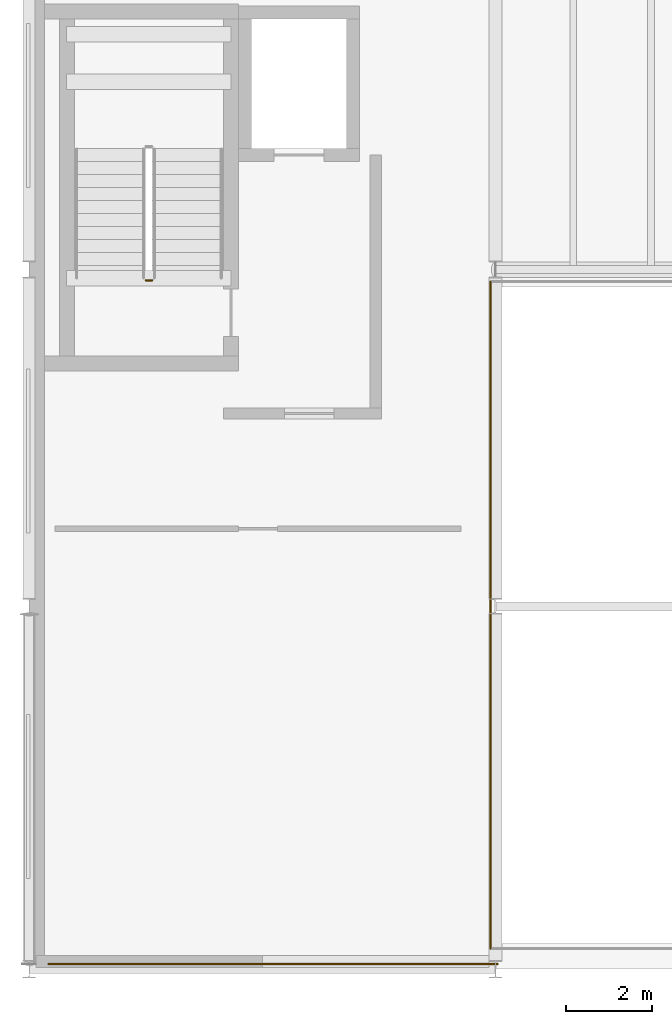
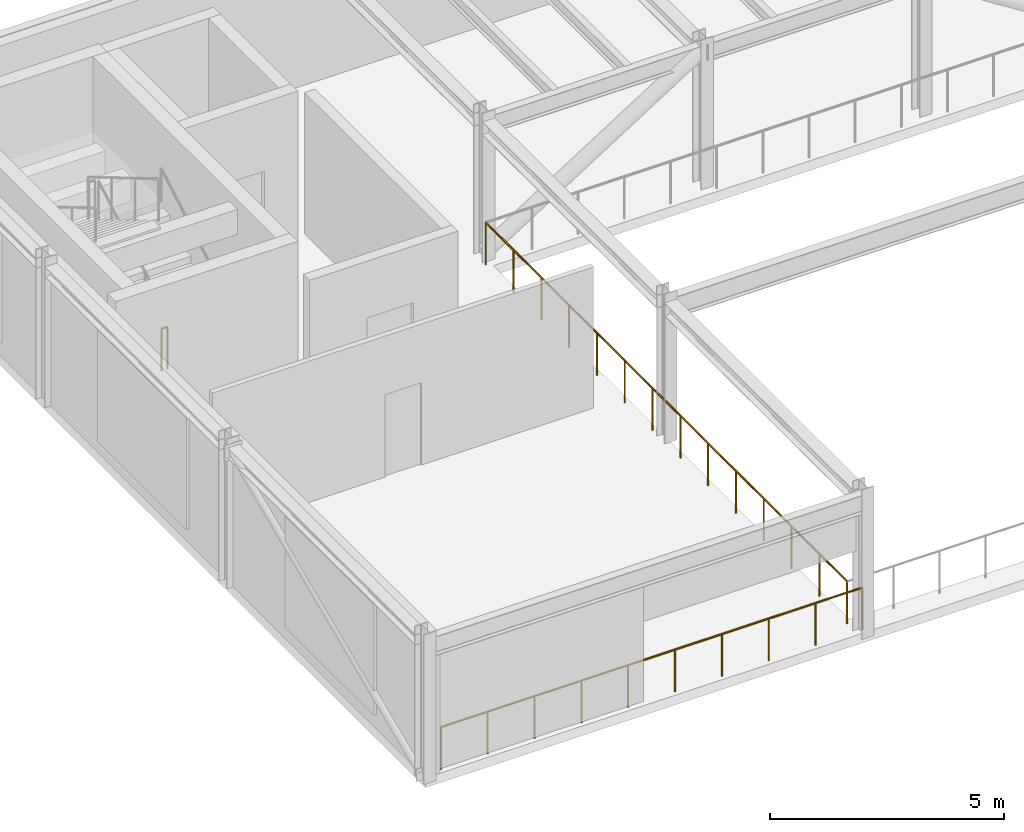
# One storey, part 9 of 12: 3 railings.
"""IFC4 building model written with IfcOpenShell, lengths in metres."""

from ifc_helpers import new_model, si_unit, direction, frame, origin, origin_2d, place, context, subcontext, project, spatial, circle, extrude, material, material_profile, profile_set, type_object, element, save


model = new_model("IFC4")

# Units and contexts
model_context = context("Model", 3, precision=1e-05, world=origin(), true_north=direction((0.0, 1.0)))
body_context = subcontext(model_context, "Body", "Model", "MODEL_VIEW")
ifc_project = project(units=[si_unit("LENGTHUNIT", "METRE"), si_unit("AREAUNIT", "SQUARE_METRE"), si_unit("VOLUMEUNIT", "CUBIC_METRE"), si_unit("PLANEANGLEUNIT", "RADIAN"), si_unit("MASSUNIT", "GRAM", prefix="KILO")], contexts=[model_context])

# Site, building, storey
site_placement = place(None, origin())
site = spatial("IfcSite", under=ifc_project, at=site_placement, CompositionType="ELEMENT")
building_placement = place(site_placement, origin())
building = spatial("IfcBuilding", under=site, at=building_placement, Name="Tazoul Stagehouse", CompositionType="ELEMENT")
storey_placement = place(building_placement, frame((0.0, 0.0, 17.10009765625)))
storey = spatial("IfcBuildingStorey", under=building, at=storey_placement, Name="L04", CompositionType="ELEMENT", Elevation=17.10009765625)

# Railings
ifc_material = material(Name="Brushed Stainless Steel 316L", Category="steel")
ifc_material_profile = material_profile(ifc_material, circle(Radius=0.02392578125, at=origin_2d()), Name="SS RAIL D48")
ifc_profile_set = profile_set([ifc_material_profile], Name="Brushed Stainless Steel 316L")
railing_type = type_object("IfcRailingType", Name="Architectural Guardrail H1120", PredefinedType="GUARDRAIL", material=ifc_profile_set)
railing_1_placement = place(storey_placement, frame((60.449951171875, 103.75, 0.0)))
element("IfcRailing", 1, at=railing_1_placement, inside=storey, type_object=railing_type, Name="L04 ST-03 stair guard 4", PredefinedType="GUARDRAIL", context=body_context, shape_type="SweptSolid", body=[
    extrude(circle(Radius=0.02392578125, at=origin_2d()), frame((0.0, 0.0, 1.09619140625), z_axis=(-1.0, 0.0, 0.0), x_axis=(0.0, -1.0, 0.0)), (0.0, 0.0, 1.0), 0.14990234375),
    extrude(circle(Radius=0.02099609375, at=origin_2d()), origin(), (0.0, 0.0, 1.0), 1.072021484375),
    extrude(circle(Radius=0.02099609375, at=origin_2d()), frame((-0.14990234375, 0.0, 0.0)), (0.0, 0.0, 1.0), 1.072021484375),
])
railing_2_placement = place(storey_placement, frame((68.280029296875, 103.719970703125, 0.0)))
element("IfcRailing", 2, at=railing_2_placement, inside=storey, type_object=railing_type, Name="L04 Open-Edge Guard GRD-01 (GRD-VOID1-W1)", PredefinedType="GUARDRAIL", context=body_context, shape_type="SweptSolid", body=[
    extrude(circle(Radius=0.02392578125, at=origin_2d()), frame((0.0, 0.0, 1.09619140625), z_axis=(0.0, -1.0, 0.0), x_axis=(1.0, 0.0, 0.0)), (0.0, 0.0, 1.0), 15.43994140625),
    extrude(circle(Radius=0.02099609375, at=origin_2d()), origin(), (0.0, 0.0, 1.0), 1.072021484375),
    extrude(circle(Radius=0.02099609375, at=origin_2d()), frame((0.0, -1.187744140625, 0.0)), (0.0, 0.0, 1.0), 1.072021484375),
    extrude(circle(Radius=0.02099609375, at=origin_2d()), frame((0.0, -2.37548828125, 0.0)), (0.0, 0.0, 1.0), 1.072021484375),
    extrude(circle(Radius=0.02099609375, at=origin_2d()), frame((0.0, -3.56298828125, 0.0)), (0.0, 0.0, 1.0), 1.072021484375),
    extrude(circle(Radius=0.02099609375, at=origin_2d()), frame((0.0, -4.750732421875, 0.0)), (0.0, 0.0, 1.0), 1.072021484375),
    extrude(circle(Radius=0.02099609375, at=origin_2d()), frame((0.0, -5.9384765625, 0.0)), (0.0, 0.0, 1.0), 1.072021484375),
    extrude(circle(Radius=0.02099609375, at=origin_2d()), frame((0.0, -7.126220703125, 0.0)), (0.0, 0.0, 1.0), 1.072021484375),
    extrude(circle(Radius=0.02099609375, at=origin_2d()), frame((0.0, -8.313720703125, 0.0)), (0.0, 0.0, 1.0), 1.072021484375),
    extrude(circle(Radius=0.02099609375, at=origin_2d()), frame((0.0, -9.50146484375, 0.0)), (0.0, 0.0, 1.0), 1.072021484375),
    extrude(circle(Radius=0.02099609375, at=origin_2d()), frame((0.0, -10.689208984375, 0.0)), (0.0, 0.0, 1.0), 1.072021484375),
    extrude(circle(Radius=0.02099609375, at=origin_2d()), frame((0.0, -11.876953125, 0.0)), (0.0, 0.0, 1.0), 1.072021484375),
    extrude(circle(Radius=0.02099609375, at=origin_2d()), frame((0.0, -13.064453125, 0.0)), (0.0, 0.0, 1.0), 1.072021484375),
    extrude(circle(Radius=0.02099609375, at=origin_2d()), frame((0.0, -14.252197265625, 0.0)), (0.0, 0.0, 1.0), 1.072021484375),
    extrude(circle(Radius=0.02099609375, at=origin_2d()), frame((0.0, -15.43994140625, 0.0)), (0.0, 0.0, 1.0), 1.072021484375),
])
railing_3_placement = place(storey_placement, frame((58.050048828125, 87.919921875, 0.0)))
element("IfcRailing", 3, at=railing_3_placement, inside=storey, type_object=railing_type, Name="L04 Stagehouse South Gallery Guard GRD-01 (W)", PredefinedType="GUARDRAIL", context=body_context, shape_type="SweptSolid", body=[
    extrude(circle(Radius=0.02392578125, at=origin_2d()), frame((0.0, 0.0, 1.09619140625), z_axis=(1.0, 0.0, 0.0), x_axis=(0.0, 1.0, 0.0)), (0.0, 0.0, 1.0), 10.39990234375),
    extrude(circle(Radius=0.02099609375, at=origin_2d()), origin(), (0.0, 0.0, 1.0), 1.072021484375),
    extrude(circle(Radius=0.02099609375, at=origin_2d()), frame((1.155517578125, 0.0, 0.0)), (0.0, 0.0, 1.0), 1.072021484375),
    extrude(circle(Radius=0.02099609375, at=origin_2d()), frame((2.31103515625, 0.0, 0.0)), (0.0, 0.0, 1.0), 1.072021484375),
    extrude(circle(Radius=0.02099609375, at=origin_2d()), frame((3.466552734375, 0.0, 0.0)), (0.0, 0.0, 1.0), 1.072021484375),
    extrude(circle(Radius=0.02099609375, at=origin_2d()), frame((4.6220703125, 0.0, 0.0)), (0.0, 0.0, 1.0), 1.072021484375),
    extrude(circle(Radius=0.02099609375, at=origin_2d()), frame((5.77783203125, 0.0, 0.0)), (0.0, 0.0, 1.0), 1.072021484375),
    extrude(circle(Radius=0.02099609375, at=origin_2d()), frame((6.933349609375, 0.0, 0.0)), (0.0, 0.0, 1.0), 1.072021484375),
    extrude(circle(Radius=0.02099609375, at=origin_2d()), frame((8.0888671875, 0.0, 0.0)), (0.0, 0.0, 1.0), 1.072021484375),
    extrude(circle(Radius=0.02099609375, at=origin_2d()), frame((9.244384765625, 0.0, 0.0)), (0.0, 0.0, 1.0), 1.072021484375),
    extrude(circle(Radius=0.02099609375, at=origin_2d()), frame((10.39990234375, 0.0, 0.0)), (0.0, 0.0, 1.0), 1.072021484375),
])

save(model, "model.ifc")
